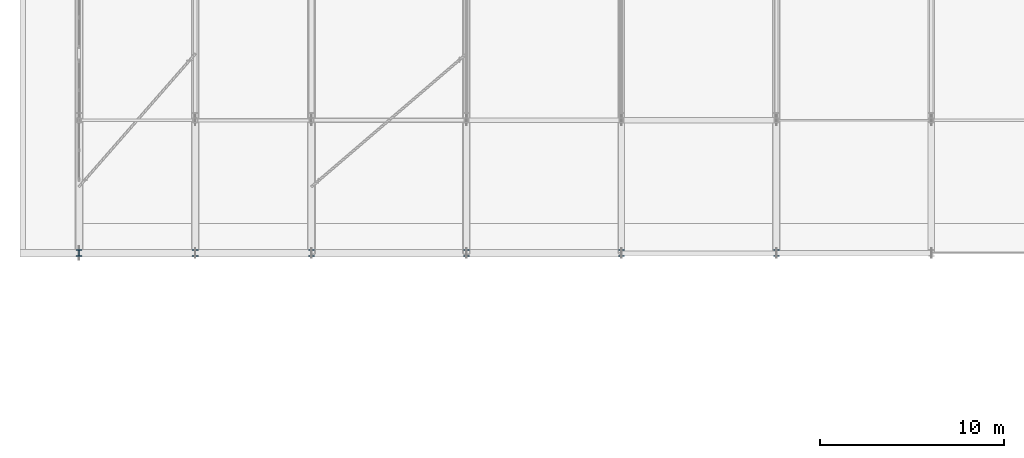
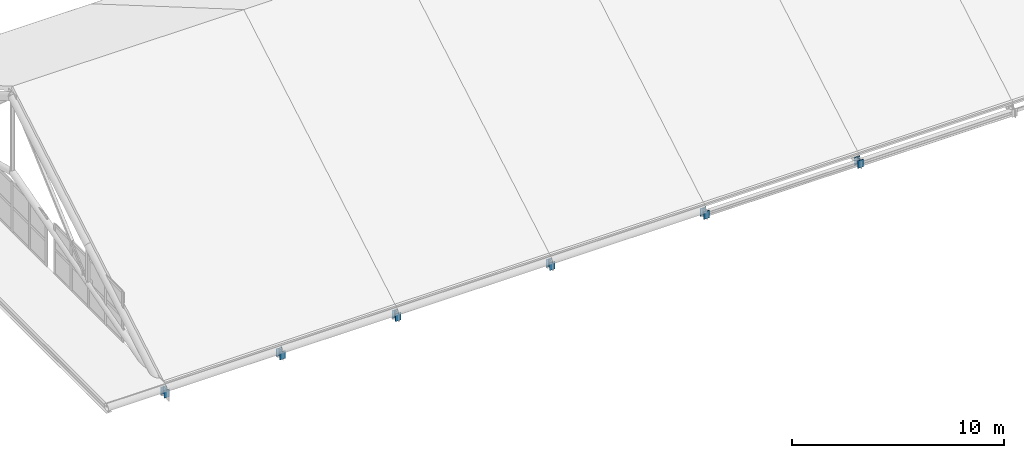
# One storey, part 34 of 54: 6 members.
"""IFC4 building model written with IfcOpenShell, lengths in metres."""

from ifc_helpers import new_model, si_unit, direction, frame, origin, origin_2d, place, context, subcontext, project, spatial, i_section, extrude, material, material_profile, profile_set, type_object, element, save


model = new_model("IFC4")

# Units and contexts
model_context = context("Model", 3, precision=1e-05, world=origin(), true_north=direction((0.0, 1.0)))
body_context = subcontext(model_context, "Body", "Model", "MODEL_VIEW")
ifc_project = project(units=[si_unit("LENGTHUNIT", "METRE"), si_unit("AREAUNIT", "SQUARE_METRE"), si_unit("VOLUMEUNIT", "CUBIC_METRE"), si_unit("PLANEANGLEUNIT", "RADIAN"), si_unit("MASSUNIT", "GRAM", prefix="KILO")], contexts=[model_context])

# Site, building, storey
site_placement = place(None, origin())
site = spatial("IfcSite", under=ifc_project, at=site_placement, CompositionType="ELEMENT")
building_placement = place(site_placement, origin())
building = spatial("IfcBuilding", under=site, at=building_placement, Name="Zulmaris Art Gallery", CompositionType="ELEMENT")
storey_placement = place(building_placement, frame((0.0, 0.0, 26.39990234375)))
storey = spatial("IfcBuildingStorey", under=building, at=storey_placement, Name="L05", CompositionType="ELEMENT", Elevation=26.39990234375)

# Members
ifc_material = material(Name="Steel S355J2", Category="steel")
ifc_material_profile = material_profile(ifc_material, i_section(OverallWidth=0.300048828125, OverallDepth=0.340087890625, WebThickness=0.011962890625, FlangeThickness=0.021484375, FilletRadius=0.027099609375, at=origin_2d()), Name="HEB 340")
ifc_profile_set = profile_set([ifc_material_profile], Name="Steel S355J2")
member_type = type_object("IfcMemberType", Name="MEM-TP04", PredefinedType="POST", material=ifc_profile_set)
for number, where, z_axis, x_axis, name in (
    (1, (11.39990234375, 21.60009765625, -0.699951171875), (0.0, 0.0, 1.0), (1.0, 0.0, 0.0), "Pitched gallery truss TR-R01 bearing shoe 1"),
    (2, (17.699951171875, 21.60009765625, -0.699951171875), (0.0, 0.0, 1.0), (1.0, 0.0, 0.0), "Pitched gallery truss TR-R02 bearing shoe 1"),
    (3, (24.0, 21.60009765625, -0.699951171875), (0.0, 0.0, 1.0), (1.0, 0.0, 0.0), "Pitched gallery truss TR-R03 bearing shoe 1"),
    (4, (32.39990234375, 21.60009765625, -0.699951171875), (0.0, 0.0, 1.0), (1.0, 0.0, 0.0), "Pitched gallery truss TR-R04 bearing shoe 1"),
    (5, (40.800048828125, 21.60009765625, -0.699951171875), (0.0, 0.0, 1.0), (1.0, 0.0, 0.0), "Pitched gallery truss TR-R05 bearing shoe 1"),
    (6, (49.199951171875, 21.60009765625, -0.699951171875), (0.0, 0.0, 1.0), (1.0, 0.0, 0.0), "Pitched gallery truss TR-R06 bearing shoe 1"),
):
    element("IfcMember", number, at=place(storey_placement, frame(where, z_axis=z_axis, x_axis=x_axis)), inside=storey, type_object=member_type, Name=name, PredefinedType="POST", context=body_context, shape_type="SweptSolid", body=[
        extrude(i_section(OverallWidth=0.300048828125, OverallDepth=0.340087890625, WebThickness=0.011962890625, FlangeThickness=0.021484375, FilletRadius=0.027099609375, at=origin_2d()), origin(), (0.0, 0.0, 1.0), 0.449951171875),
    ])

save(model, "model.ifc")
